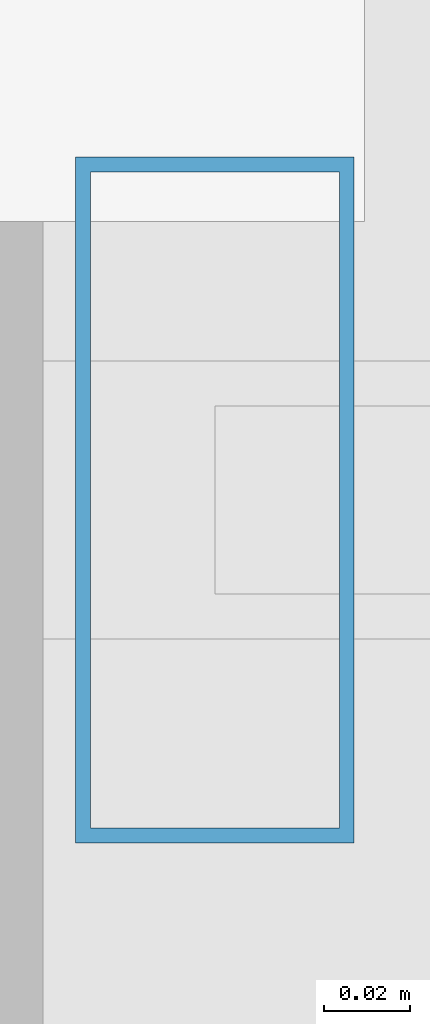
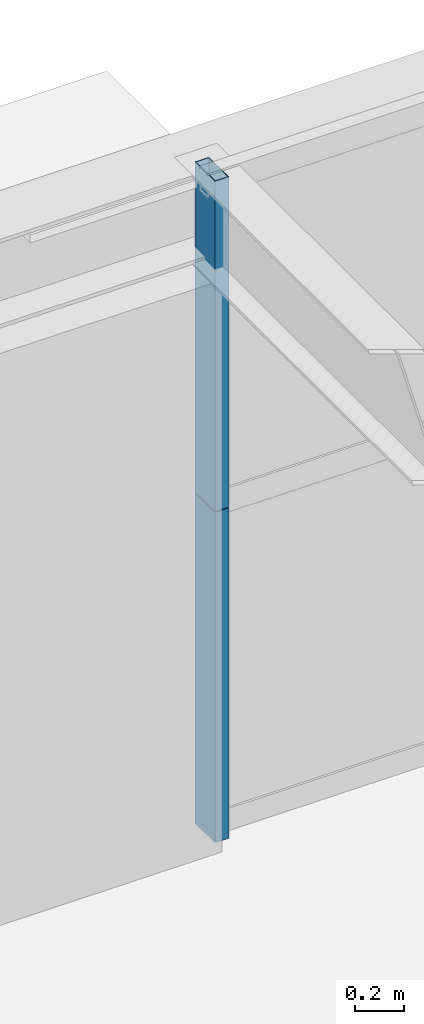
# One storey, part 24 of 36: 2 members, 1 element without a shape of its own.
"""IFC4 building model written with IfcOpenShell, lengths in metres."""

from ifc_helpers import new_model, si_unit, direction, frame, origin, origin_2d, place, context, subcontext, project, spatial, hollow_rectangle, extrude, source, transform, mapped, material, layer, layer_set, material_profile, profile_set, type_object, element, aggregate, save


model = new_model("IFC4")

# Units and contexts
model_context = context("Model", 3, precision=1e-05, world=origin(), true_north=direction((0.0, 1.0)))
body_context = subcontext(model_context, "Body", "Model", "MODEL_VIEW")
ifc_project = project(units=[si_unit("LENGTHUNIT", "METRE"), si_unit("AREAUNIT", "SQUARE_METRE"), si_unit("VOLUMEUNIT", "CUBIC_METRE"), si_unit("PLANEANGLEUNIT", "RADIAN"), si_unit("MASSUNIT", "GRAM", prefix="KILO"), si_unit("THERMODYNAMICTEMPERATUREUNIT", "KELVIN"), si_unit("POWERUNIT", "WATT")], contexts=[model_context])

# Site, building, storey
site_placement = place(None, origin())
site = spatial("IfcSite", under=ifc_project, at=site_placement, CompositionType="ELEMENT")
building_placement = place(site_placement, origin())
building = spatial("IfcBuilding", under=site, at=building_placement, Name="Yuzanri Waterfront Tower", CompositionType="ELEMENT")
storey_placement = place(building_placement, frame((0.0, 0.0, 224.10009765625)))
storey = spatial("IfcBuildingStorey", under=building, at=storey_placement, Name="L59", CompositionType="ELEMENT", Elevation=224.10009765625)

# Curtain wall, members
ifc_material_1 = material(Name="Anodized Architectural Bronze", Category="metal")
ifc_layer = layer(ifc_material_1, 0.159912109375)
ifc_layer_set = layer_set([ifc_layer], Name="Anodized Architectural Bronze")
curtain_wall_type = type_object("IfcCurtainWallType", Name="Anodized Bronze Mid-Rise Residential Acoustic Unitized Curtain Wall 7200", PredefinedType="NOTDEFINED", material=ifc_layer_set)
curtain_wall_placement = place(storey_placement, origin())
curtain_wall = element("IfcCurtainWall", 1, at=curtain_wall_placement, inside=storey, type_object=curtain_wall_type, Name="L59 Curtain Wall CW-L59-NL", PredefinedType="NOTDEFINED")
ifc_material_2 = material(Name="Anodized Architectural Bronze", Category="metal")
ifc_material_profile = material_profile(ifc_material_2, hollow_rectangle(XDim=0.06494140625, YDim=0.159912109375, WallThickness=0.00341796875, at=origin_2d()), Name="CWM 65x160")
ifc_profile_set = profile_set([ifc_material_profile], Name="Anodized Architectural Bronze")
member_type = type_object("IfcMemberType", Name="Anodized Bronze Upper-Zone Curtain-Wall Mullion 65x160", PredefinedType="MULLION", material=ifc_profile_set)
shared_shape = source(origin(), body_context, "Body", "SweptSolid", [
    extrude(hollow_rectangle(XDim=0.06494140625, YDim=0.159912109375, WallThickness=0.00341796875, at=origin_2d()), origin(), (0.0, 0.0, 1.0), 1.637939453125),
])
member_1_placement = place(storey_placement, frame((23.7900390625, 46.25, 0.0), z_axis=(0.0, 0.0, 1.0), x_axis=(1.0, 0.0, 0.0)))
member_1 = element("IfcMember", 2, at=member_1_placement, type_object=member_type, Name="CW-L59-NL Lower Mullion 00", PredefinedType="MULLION", context=body_context, shape_type="MappedRepresentation", body=[
    mapped(shared_shape, transform((0.0, 0.0, 0.0), scale=1.0)),
])
member_2_placement = place(storey_placement, frame((23.7900390625, 46.25, 1.641845703125), z_axis=(0.0, 0.0, 1.0), x_axis=(1.0, 0.0, 0.0)))
member_2 = element("IfcMember", 3, at=member_2_placement, type_object=member_type, Name="CW-L59-NL Upper Mullion 00", PredefinedType="MULLION", context=body_context, shape_type="MappedRepresentation", body=[
    mapped(shared_shape, transform((0.0, 0.0, 0.0), scale=1.0)),
])
aggregate(curtain_wall, [member_1, member_2])

save(model, "model.ifc")
